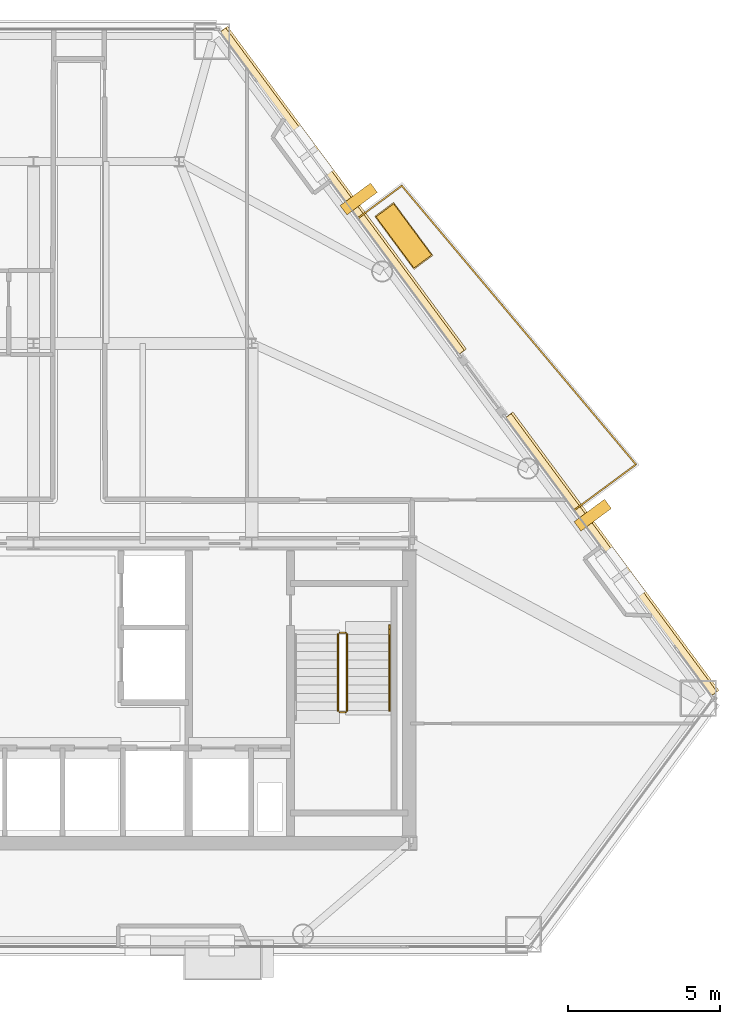
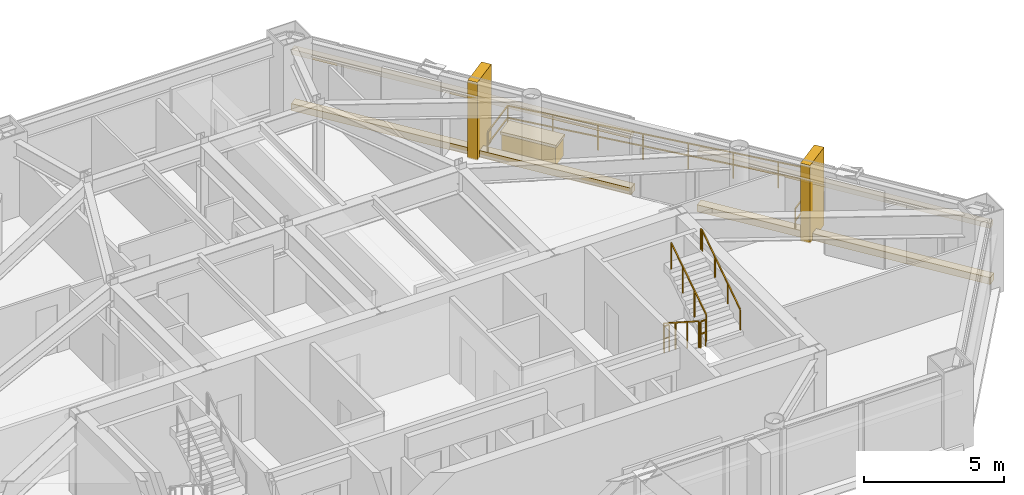
# One storey, part 13 of 13: 8 coverings, 6 railings.
"""IFC4 building model written with IfcOpenShell, lengths in metres."""

import ifcopenshell
import ifcopenshell.guid

model = None  # the IFC model being written
_history = None  # IfcOwnerHistory: only IFC2X3 demands one
_inside = {}  # id of a spatial element -> (the spatial element, [elements in it])
_under = {}  # id of a project, library or spatial element -> (it, [spatial elements below it])
_declared = {}  # id of a project -> (the project, [libraries it declares])
_typed = {}  # id of a type object -> (the type object, [elements of that type])
_made_of = {}  # id of a material, layer set ... -> (it, [elements and type objects made of it])


def new_model(schema):
    """Start an empty IFC model of exactly this schema.

    Asked for "IFC4X3", IfcOpenShell would pick the latest addendum, in which some entities
    have other attributes; the version numbers below select the first issue.
    IFC2X3 requires an IfcOwnerHistory on every rooted entity: one is made here for all.
    """
    global model, _history
    if schema == "IFC4X3":
        model = ifcopenshell.file(schema_version=(4, 3, 0, 0))
    else:
        model = ifcopenshell.file(schema=schema)
    _inside.clear()
    _under.clear()
    _declared.clear()
    _typed.clear()
    _made_of.clear()
    _history = None
    if model.schema == "IFC2X3":
        org = make("IfcOrganization", Name="unknown")
        user = make(
            "IfcPersonAndOrganization",
            ThePerson=make("IfcPerson", FamilyName="unknown"),
            TheOrganization=org,
        )
        app = make(
            "IfcApplication",
            ApplicationDeveloper=org,
            Version="unknown",
            ApplicationFullName="unknown",
            ApplicationIdentifier="unknown",
        )
        _history = make(
            "IfcOwnerHistory",
            OwningUser=user,
            OwningApplication=app,
            ChangeAction="ADDED",
            CreationDate=0,
        )
    return model


def make(cls, **values):
    """One entity of the class cls with the attributes given. An attribute that is None is left unset."""
    return model.create_entity(
        cls, **{name: value for name, value in values.items() if value is not None}
    )


def rooted(cls, **values):
    """An entity with a GlobalId (a new one), such as an element, a storey or a relation."""
    return make(cls, GlobalId=ifcopenshell.guid.new(), OwnerHistory=_history, **values)


def si_unit(unit_type, name, prefix=None):
    """IfcSIUnit, for example si_unit("LENGTHUNIT", "METRE", prefix="MILLI")."""
    return make("IfcSIUnit", UnitType=unit_type, Prefix=prefix, Name=name)


def assignment(units):
    """IfcUnitAssignment: the units of a project."""
    return None if units is None else make("IfcUnitAssignment", Units=units)


def point(xyz):
    """IfcCartesianPoint."""
    return None if xyz is None else make("IfcCartesianPoint", Coordinates=xyz)


def direction(xyz):
    """IfcDirection."""
    return None if xyz is None else make("IfcDirection", DirectionRatios=xyz)


def frame(location, z_axis=None, x_axis=None):
    """IfcAxis2Placement3D, a coordinate frame: its origin and axes. An axis left out is left unset."""
    return make(
        "IfcAxis2Placement3D",
        Location=point(location),
        Axis=direction(z_axis),
        RefDirection=direction(x_axis),
    )


def frame_2d(location, x_axis=None):
    """IfcAxis2Placement2D, a coordinate frame in the plane: its origin and x axis."""
    return make(
        "IfcAxis2Placement2D", Location=point(location), RefDirection=direction(x_axis)
    )


def origin():
    """The frame at (0, 0, 0) with its axes left unset."""
    return frame((0.0, 0.0, 0.0))


def origin_2d():
    """The frame at (0, 0) in the plane with its x axis left unset."""
    return frame_2d((0.0, 0.0))


def place(relative_to, where):
    """IfcLocalPlacement: puts the frame where relative to a parent placement (None: the world)."""
    return make(
        "IfcLocalPlacement", PlacementRelTo=relative_to, RelativePlacement=where
    )


def context(
    kind, dimensions, precision=None, world=None, true_north=None, identifier=None
):
    """IfcGeometricRepresentationContext, for example the 3D "Model" context."""
    return make(
        "IfcGeometricRepresentationContext",
        ContextIdentifier=identifier,
        ContextType=kind,
        CoordinateSpaceDimension=dimensions,
        Precision=precision,
        WorldCoordinateSystem=world,
        TrueNorth=true_north,
    )


def subcontext(parent, identifier, kind, view, scale=None):
    """IfcGeometricRepresentationSubContext, for example "Body" below "Model"."""
    return make(
        "IfcGeometricRepresentationSubContext",
        ContextIdentifier=identifier,
        ContextType=kind,
        ParentContext=parent,
        TargetScale=scale,
        TargetView=view,
    )


def project(units=None, contexts=None):
    """IfcProject with its units and contexts."""
    return rooted(
        "IfcProject",
        Name="project",
        RepresentationContexts=contexts,
        UnitsInContext=assignment(units),
    )


def spatial(cls, under=None, at=None, **own):
    """A site, building, storey or space (cls), placed at a placement, below another one or the project."""
    s = rooted(cls, ObjectPlacement=at, **own)
    if under is not None:
        _under.setdefault(under.id(), (under, []))[1].append(s)
    return s


def profile(cls, at=None, kind="AREA", **sizes):
    """A parametric profile (cls). Its sizes go by their IFC names, for example OverallWidth=200.0."""
    return make(cls, ProfileType=kind, Position=at, **sizes)


def rectangle(**sizes):
    """IfcRectangleProfileDef."""
    return profile("IfcRectangleProfileDef", **sizes)


def extrude(swept, where, along, depth):
    """IfcExtrudedAreaSolid: the profile swept, set in the frame where, extruded along a direction by depth."""
    return make(
        "IfcExtrudedAreaSolid",
        SweptArea=swept,
        Position=where,
        ExtrudedDirection=direction(along),
        Depth=depth,
    )


def shape(context_of_items, identifier, shape_type, items):
    """IfcShapeRepresentation: the items that make up one representation, for example the "Body"."""
    return make(
        "IfcShapeRepresentation",
        ContextOfItems=context_of_items,
        RepresentationIdentifier=identifier,
        RepresentationType=shape_type,
        Items=items,
    )


def material(Name=None, Category=None):
    """IfcMaterial."""
    return make("IfcMaterial", Name=Name, Category=Category)


def layer(
    of_material, thickness, ventilated=None, Name=None, Category=None, Priority=None
):
    """IfcMaterialLayer: one layer of a wall or slab, of a material (None: an air gap)."""
    return make(
        "IfcMaterialLayer",
        Material=of_material,
        LayerThickness=thickness,
        IsVentilated=ventilated,
        Name=Name,
        Category=Category,
        Priority=Priority,
    )


def layer_set(layers, Name=None):
    """IfcMaterialLayerSet."""
    return make("IfcMaterialLayerSet", MaterialLayers=layers, LayerSetName=Name)


def made_of(thing, what):
    """Note that an element or type object is made of a material, layer set ...; save() writes the relation."""
    if what is not None:
        _made_of.setdefault(what.id(), (what, []))[1].append(thing)
    return thing


def type_object(cls, material=None, **own):
    """A type object (cls), such as IfcWallType, which elements share."""
    return made_of(rooted(cls, **own), material)


def element(
    cls,
    number,
    at=None,
    inside=None,
    cuts=None,
    type_object=None,
    material=None,
    context=None,
    identifier="Body",
    shape_type=None,
    held_by="IfcProductDefinitionShape",
    body=None,
    shapes=None,
    **own,
):
    """One element of the class cls, such as IfcWall. Its Tag is "e" and its number.

    at: its placement. inside: the storey or other place that contains it. cuts: it is an
    opening in that element (IfcRelVoidsElement). A single representation is given by context,
    identifier, shape_type and body (its items); several are given by shapes. held_by: the class
    of the entity that holds the representations. save() writes the other relations.
    """
    e = rooted(cls, Tag="e%d" % number, ObjectPlacement=at, **own)
    if body is not None:
        shapes = [shape(context, identifier, shape_type, body)]
    if shapes is not None:
        e.Representation = make(held_by, Representations=shapes)
    if inside is not None:
        _inside.setdefault(inside.id(), (inside, []))[1].append(e)
    if cuts is not None:
        rooted(
            "IfcRelVoidsElement", RelatingBuildingElement=cuts, RelatedOpeningElement=e
        )
    if type_object is not None:
        _typed.setdefault(type_object.id(), (type_object, []))[1].append(e)
    return made_of(e, material)


def aggregate(whole, parts):
    """IfcRelAggregates: a whole, such as a stair, and the parts it consists of."""
    return rooted("IfcRelAggregates", RelatingObject=whole, RelatedObjects=parts)


def save(model, path):
    """Write the relations noted so far, then the file.

    IfcRelAggregates (storeys below a building ...), IfcRelContainedInSpatialStructure (elements
    in a storey), IfcRelDefinesByType, IfcRelAssociatesMaterial and IfcRelDeclares: one each for
    every whole, place, type object, material and project.
    """
    for whole, parts in _under.values():
        aggregate(whole, parts)
    for where, things in _inside.values():
        rooted(
            "IfcRelContainedInSpatialStructure",
            RelatedElements=things,
            RelatingStructure=where,
        )
    for kind, things in _typed.values():
        rooted("IfcRelDefinesByType", RelatedObjects=things, RelatingType=kind)
    for what, things in _made_of.values():
        rooted("IfcRelAssociatesMaterial", RelatedObjects=things, RelatingMaterial=what)
    for by, libraries in _declared.values():
        rooted("IfcRelDeclares", RelatingContext=by, RelatedDefinitions=libraries)
    model.write(path)


model = new_model("IFC4")

# Units and contexts
model_context = context("Model", 3, precision=1e-05, world=origin(), true_north=direction((0.0, 1.0)))
body_context = subcontext(model_context, "Body", "Model", "MODEL_VIEW")
ifc_project = project(units=[si_unit("LENGTHUNIT", "METRE"), si_unit("AREAUNIT", "SQUARE_METRE"), si_unit("VOLUMEUNIT", "CUBIC_METRE"), si_unit("PLANEANGLEUNIT", "RADIAN"), si_unit("MASSUNIT", "GRAM", prefix="KILO")], contexts=[model_context])

# Site, building, storey
site_placement = place(None, origin())
site = spatial("IfcSite", under=ifc_project, at=site_placement, CompositionType="ELEMENT")
building_placement = place(site_placement, origin())
building = spatial("IfcBuilding", under=site, at=building_placement, Name="Talgorran Terracotta Tower", CompositionType="ELEMENT")
storey_placement = place(building_placement, frame((0.0, 0.0, 106.800048828125)))
storey = spatial("IfcBuildingStorey", under=building, at=storey_placement, Name="L27", CompositionType="ELEMENT", Elevation=106.800048828125)

# Coverings
ifc_material_1 = material(Name="Kiln-Fired Terracotta Ochre Ceramic", Category="masonry")
ifc_layer_1 = layer(ifc_material_1, 0.179931640625, Name="COV_BAGUETTE_TERRACOTTA_SCREEN")
ifc_layer_set_1 = layer_set([ifc_layer_1], Name="Kiln-Fired Terracotta Ochre Ceramic")
covering_type_1 = type_object("IfcCoveringType", Name="COV_BAGUETTE_TERRACOTTA_SCREEN", PredefinedType="CLADDING", material=ifc_layer_set_1)
covering_1_placement = place(storey_placement, frame((19.05224609375, -4.581298828125, 2.41015625), z_axis=(0.0, 0.0, 1.0), x_axis=(-0.594906963183, 0.803794566513, 0.0)))
element("IfcCovering", 1, at=covering_1_placement, inside=storey, type_object=covering_type_1, Name="L27 Terracotta Baguette Solar Screen Assembly F40", PredefinedType="CLADDING", context=body_context, shape_type="SweptSolid", body=[
    extrude(rectangle(XDim=11.412109375, YDim=0.260009765625, at=origin_2d()), origin(), (0.0, 0.0, 1.0), 0.219970703125),
])
covering_2_placement = place(storey_placement, frame((10.17431640625, 7.414306640625, 2.41015625), z_axis=(0.0, 0.0, 1.0), x_axis=(-0.594906963183, 0.803794566513, 0.0)))
element("IfcCovering", 2, at=covering_2_placement, inside=storey, type_object=covering_type_1, Name="L27 Terracotta Baguette Solar Screen Assembly F41", PredefinedType="CLADDING", context=body_context, shape_type="SweptSolid", body=[
    extrude(rectangle(XDim=13.23486328125, YDim=0.260009765625, at=origin_2d()), origin(), (0.0, 0.0, 1.0), 0.219970703125),
])
ifc_material_2 = material(Name="Honed Limestone and Terracotta Planter", Category="masonry")
ifc_layer_2 = layer(ifc_material_2, 0.1201171875, Name="COV_PLANTER_BOX")
ifc_layer_set_2 = layer_set([ifc_layer_2], Name="Honed Limestone and Terracotta Planter")
covering_type_2 = type_object("IfcCoveringType", Name="COV_PLANTER_BOX", PredefinedType="CLADDING", material=ifc_layer_set_2)
covering_3_placement = place(storey_placement, frame((12.2177734375, 5.947509765625, -0.02001953125), z_axis=(0.0, 0.0, 1.0), x_axis=(-0.594906963183, 0.803794566513, 0.0)))
element("IfcCovering", 3, at=covering_3_placement, inside=storey, type_object=covering_type_2, Name="L27 Staggered Balcony Planter Box BAL-NE", PredefinedType="CLADDING", context=body_context, shape_type="SweptSolid", body=[
    extrude(rectangle(XDim=2.10009765625, YDim=0.719970703125, at=origin_2d()), origin(), (0.0, 0.0, 1.0), 0.860107421875),
])
ifc_material_3 = material(Name="Kiln-Fired Terracotta Planter Rim", Category="masonry")
ifc_layer_3 = layer(ifc_material_3, 0.10009765625, Name="COV_PLANTER_RIM")
ifc_layer_set_3 = layer_set([ifc_layer_3], Name="Kiln-Fired Terracotta Planter Rim")
covering_type_3 = type_object("IfcCoveringType", Name="COV_PLANTER_RIM", PredefinedType="CLADDING", material=ifc_layer_set_3)
covering_4_placement = place(storey_placement, frame((12.2177734375, 5.947509765625, 0.7998046875), z_axis=(0.0, 0.0, 1.0), x_axis=(-0.594906963183, 0.803794566513, 0.0)))
element("IfcCovering", 4, at=covering_4_placement, inside=storey, type_object=covering_type_3, Name="L27 Balcony Planter Terracotta Rim BAL-NE", PredefinedType="CLADDING", context=body_context, shape_type="SweptSolid", body=[
    extrude(rectangle(XDim=2.179931640625, YDim=0.780029296875, at=origin_2d()), origin(), (0.0, 0.0, 1.0), 0.1201171875),
])
ifc_material_4 = material(Name="Honed Limestone Cladding", Category="masonry")
ifc_layer_4 = layer(ifc_material_4, 0.094970703125, Name="COV_PORTAL_LIME")
ifc_layer_set_4 = layer_set([ifc_layer_4], Name="Honed Limestone Cladding")
covering_type_4 = type_object("IfcCoveringType", Name="COV_PORTAL_LIME", PredefinedType="CLADDING", material=ifc_layer_set_4)
covering_5_placement = place(storey_placement, frame((18.45263671875, -3.2666015625, -0.050048828125), z_axis=(0.0, 0.0, 1.0), x_axis=(-0.594906963183, 0.803794566513, 0.0)))
element("IfcCovering", 5, at=covering_5_placement, inside=storey, type_object=covering_type_4, Name="L27 White Striped Portal Fin F3-1", PredefinedType="CLADDING", context=body_context, shape_type="SweptSolid", body=[
    extrude(rectangle(XDim=0.3798828125, YDim=1.25, at=origin_2d()), origin(), (0.0, 0.0, 1.0), 3.39990234375),
])
ifc_material_5 = material(Name="Kiln-Fired Terracotta Cladding", Category="masonry")
ifc_layer_5 = layer(ifc_material_5, 0.090087890625, Name="COV_PORTAL_TERRA")
ifc_layer_set_5 = layer_set([ifc_layer_5], Name="Kiln-Fired Terracotta Cladding")
covering_type_5 = type_object("IfcCoveringType", Name="COV_PORTAL_TERRA", PredefinedType="CLADDING", material=ifc_layer_set_5)
covering_6_placement = place(storey_placement, frame((19.08447265625, -4.557373046875, -0.0400390625), z_axis=(0.0, 0.0, 1.0), x_axis=(-0.594906963183, 0.803794566513, 0.0)))
element("IfcCovering", 6, at=covering_6_placement, inside=storey, type_object=covering_type_5, Name="L27 Striped Postmodern Portal Cladding Band F40", PredefinedType="CLADDING", context=body_context, shape_type="SweptSolid", body=[
    extrude(rectangle(XDim=11.43212890625, YDim=0.340087890625, at=origin_2d()), origin(), (0.0, 0.0, 1.0), 0.300048828125),
])
covering_7_placement = place(storey_placement, frame((10.206298828125, 7.43798828125, -0.0400390625), z_axis=(0.0, 0.0, 1.0), x_axis=(-0.594906963183, 0.803794566513, 0.0)))
element("IfcCovering", 7, at=covering_7_placement, inside=storey, type_object=covering_type_5, Name="L27 Striped Postmodern Portal Cladding Band F41", PredefinedType="CLADDING", context=body_context, shape_type="SweptSolid", body=[
    extrude(rectangle(XDim=13.2548828125, YDim=0.340087890625, at=origin_2d()), origin(), (0.0, 0.0, 1.0), 0.300048828125),
])
covering_8_placement = place(storey_placement, frame((10.73095703125, 7.16650390625, -0.050048828125), z_axis=(0.0, 0.0, 1.0), x_axis=(-0.594906963183, 0.803794566513, 0.0)))
element("IfcCovering", 8, at=covering_8_placement, inside=storey, type_object=covering_type_5, Name="L27 Terracotta Striped Portal Fin F3-2", PredefinedType="CLADDING", context=body_context, shape_type="SweptSolid", body=[
    extrude(rectangle(XDim=0.3798828125, YDim=1.25, at=origin_2d()), origin(), (0.0, 0.0, 1.0), 3.39990234375),
])

# Railings
ifc_material_6 = material(Name="Laminated Glass and Stainless Steel 316", Category="steel")
railing_type_1 = type_object("IfcRailingType", Name="RL_BALCONY_1150", PredefinedType="BALUSTRADE", material=ifc_material_6)
railing_1_placement = place(storey_placement, frame((17.85302734375, -3.095458984375, 0.0)))
element("IfcRailing", 9, at=railing_1_placement, inside=storey, type_object=railing_type_1, Name="RL-L27-BAL-BAL-NE", PredefinedType="BALUSTRADE", context=body_context, shape_type="SweptSolid", body=[
    extrude(rectangle(XDim=0.048095703125, YDim=0.048095703125, at=origin_2d()), frame((0.0, 0.0, 1.1259765625), z_axis=(0.803783557242, 0.594921837814, 0.0), x_axis=(-0.594921837814, 0.803783557242, 0.0)), (0.0, 0.0, 1.0), 2.521240234375),
    extrude(rectangle(XDim=0.048095703125, YDim=0.048095703125, at=origin_2d()), frame((0.0, 0.0, 0.597900390625), z_axis=(0.803783557242, 0.594921837814, 0.0), x_axis=(-0.594921837814, 0.803783557242, 0.0)), (0.0, 0.0, 1.0), 2.521240234375),
    extrude(rectangle(XDim=0.048095703125, YDim=0.048095703125, at=origin_2d()), frame((2.026611328125, 1.5, 1.1259765625), z_axis=(-0.643321231976, 0.765596363947, 0.0), x_axis=(-0.765596363947, -0.643321231976, 0.0)), (0.0, 0.0, 1.0), 12.013916015625),
    extrude(rectangle(XDim=0.048095703125, YDim=0.048095703125, at=origin_2d()), frame((2.026611328125, 1.5, 0.597900390625), z_axis=(-0.643321231976, 0.765596363947, 0.0), x_axis=(-0.765596363947, -0.643321231976, 0.0)), (0.0, 0.0, 1.0), 12.013916015625),
    extrude(rectangle(XDim=0.048095703125, YDim=0.048095703125, at=origin_2d()), frame((-5.7021484375, 10.69775390625, 1.1259765625), z_axis=(-0.803816987342, -0.594876668613, 0.0), x_axis=(0.594876668613, -0.803816987342, 0.0)), (0.0, 0.0, 1.0), 1.78076171875),
    extrude(rectangle(XDim=0.048095703125, YDim=0.048095703125, at=origin_2d()), frame((-5.7021484375, 10.69775390625, 0.597900390625), z_axis=(-0.803816987342, -0.594876668613, 0.0), x_axis=(0.594876668613, -0.803816987342, 0.0)), (0.0, 0.0, 1.0), 1.78076171875),
    extrude(rectangle(XDim=0.0419921875, YDim=0.0419921875, at=origin_2d()), origin(), (0.0, 0.0, 1.0), 1.101806640625),
    extrude(rectangle(XDim=0.0419921875, YDim=0.0419921875, at=origin_2d()), frame((1.01318359375, 0.75, 0.0)), (0.0, 0.0, 1.0), 1.101806640625),
    extrude(rectangle(XDim=0.0419921875, YDim=0.0419921875, at=origin_2d()), frame((2.026611328125, 1.5, 0.0)), (0.0, 0.0, 1.0), 1.101806640625),
    extrude(rectangle(XDim=0.0419921875, YDim=0.0419921875, at=origin_2d()), frame((0.922607421875, 2.81396484375, 0.0)), (0.0, 0.0, 1.0), 1.101806640625),
    extrude(rectangle(XDim=0.0419921875, YDim=0.0419921875, at=origin_2d()), frame((-0.181640625, 4.1279296875, 0.0)), (0.0, 0.0, 1.0), 1.101806640625),
    extrude(rectangle(XDim=0.0419921875, YDim=0.0419921875, at=origin_2d()), frame((-1.28564453125, 5.44189453125, 0.0)), (0.0, 0.0, 1.0), 1.101806640625),
    extrude(rectangle(XDim=0.0419921875, YDim=0.0419921875, at=origin_2d()), frame((-2.389892578125, 6.755859375, 0.0)), (0.0, 0.0, 1.0), 1.101806640625),
    extrude(rectangle(XDim=0.0419921875, YDim=0.0419921875, at=origin_2d()), frame((-3.493896484375, 8.06982421875, 0.0)), (0.0, 0.0, 1.0), 1.101806640625),
    extrude(rectangle(XDim=0.0419921875, YDim=0.0419921875, at=origin_2d()), frame((-4.59814453125, 9.3837890625, 0.0)), (0.0, 0.0, 1.0), 1.101806640625),
    extrude(rectangle(XDim=0.0419921875, YDim=0.0419921875, at=origin_2d()), frame((-5.7021484375, 10.69775390625, 0.0)), (0.0, 0.0, 1.0), 1.101806640625),
    extrude(rectangle(XDim=0.0419921875, YDim=0.0419921875, at=origin_2d()), frame((-7.133544921875, 9.638427734375, 0.0)), (0.0, 0.0, 1.0), 1.101806640625),
])
ifc_material_7 = material(Name="Steel S355 (300PLUS)", Category="steel")
railing_type_2 = type_object("IfcRailingType", Name="RL_HANDRAIL_920", PredefinedType="HANDRAIL", material=ifc_material_7)
railing_2_placement = place(storey_placement, frame((11.75, -9.719970703125, 1.97998046875)))
element("IfcRailing", 10, at=railing_2_placement, inside=storey, type_object=railing_type_2, Name="L27 ST-02 stair handrail 2", PredefinedType="HANDRAIL", context=body_context, shape_type="SweptSolid", body=[
    extrude(rectangle(XDim=0.048095703125, YDim=0.048095703125, at=origin_2d()), frame((0.0, 0.0, 0.89599609375), z_axis=(0.0, 0.832038719335, 0.554717558338), x_axis=(-1.0, 0.0, 0.0)), (0.0, 0.0, 1.0), 3.244873046875),
    extrude(rectangle(XDim=0.048095703125, YDim=0.048095703125, at=origin_2d()), frame((0.0, 2.699951171875, 2.69580078125), z_axis=(0.0, 1.0, 0.0), x_axis=(-1.0, 0.0, 0.0)), (0.0, 0.0, 1.0), 0.1201171875),
    extrude(rectangle(XDim=0.0419921875, YDim=0.0419921875, at=origin_2d()), origin(), (0.0, 0.0, 1.0), 0.871826171875),
    extrude(rectangle(XDim=0.0419921875, YDim=0.0419921875, at=origin_2d()), frame((0.0, 0.89990234375, 0.60009765625)), (0.0, 0.0, 1.0), 0.871826171875),
    extrude(rectangle(XDim=0.0419921875, YDim=0.0419921875, at=origin_2d()), frame((0.0, 1.800048828125, 1.199951171875)), (0.0, 0.0, 1.0), 0.871826171875),
    extrude(rectangle(XDim=0.0419921875, YDim=0.0419921875, at=origin_2d()), frame((0.0, 2.699951171875, 1.800048828125)), (0.0, 0.0, 1.0), 0.871826171875),
    extrude(rectangle(XDim=0.0419921875, YDim=0.0419921875, at=origin_2d()), frame((0.0, 2.820068359375, 1.800048828125)), (0.0, 0.0, 1.0), 0.871826171875),
])
railing_type_3 = type_object("IfcRailingType", Name="RL_STAIR_GUARD", PredefinedType="GUARDRAIL", material=ifc_material_7)
railing_3_placement = place(storey_placement, frame((10.050048828125, -7.199951171875, 0.179931640625)))
element("IfcRailing", 11, at=railing_3_placement, inside=storey, type_object=railing_type_3, Name="L27 ST-02 stair guard 1", PredefinedType="GUARDRAIL", context=body_context, shape_type="SweptSolid", body=[
    extrude(rectangle(XDim=0.048095703125, YDim=0.048095703125, at=origin_2d()), frame((0.0, 0.0, 1.15576171875), z_axis=(0.0, -0.841162588446, 0.540782303519), x_axis=(1.0, 0.0, 0.0)), (0.0, 0.0, 1.0), 2.995849609375),
    extrude(rectangle(XDim=0.0419921875, YDim=0.0419921875, at=origin_2d()), origin(), (0.0, 0.0, 1.0), 1.1318359375),
    extrude(rectangle(XDim=0.0419921875, YDim=0.0419921875, at=origin_2d()), frame((0.0, -0.840087890625, 0.5400390625)), (0.0, 0.0, 1.0), 1.1318359375),
    extrude(rectangle(XDim=0.0419921875, YDim=0.0419921875, at=origin_2d()), frame((0.0, -1.679931640625, 1.080078125)), (0.0, 0.0, 1.0), 1.1318359375),
    extrude(rectangle(XDim=0.0419921875, YDim=0.0419921875, at=origin_2d()), frame((0.0, -2.52001953125, 1.6201171875)), (0.0, 0.0, 1.0), 1.1318359375),
])
railing_4_placement = place(storey_placement, frame((10.10009765625, -9.77001953125, 1.800048828125)))
element("IfcRailing", 12, at=railing_4_placement, inside=storey, type_object=railing_type_3, Name="L27 ST-02 stair guard 2", PredefinedType="GUARDRAIL", context=body_context, shape_type="SweptSolid", body=[
    extrude(rectangle(XDim=0.048095703125, YDim=0.048095703125, at=origin_2d()), frame((0.0, 0.0, 1.15576171875), z_axis=(1.0, 0.0, 0.0), x_axis=(0.0, 1.0, 0.0)), (0.0, 0.0, 1.0), 0.199951171875),
    extrude(rectangle(XDim=0.048095703125, YDim=0.048095703125, at=origin_2d()), frame((0.0, 0.0, 0.613525390625), z_axis=(1.0, 0.0, 0.0), x_axis=(0.0, 1.0, 0.0)), (0.0, 0.0, 1.0), 0.199951171875),
    extrude(rectangle(XDim=0.0419921875, YDim=0.0419921875, at=origin_2d()), origin(), (0.0, 0.0, 1.0), 1.1318359375),
    extrude(rectangle(XDim=0.0419921875, YDim=0.0419921875, at=origin_2d()), frame((0.199951171875, 0.0, 0.0)), (0.0, 0.0, 1.0), 1.1318359375),
])
railing_5_placement = place(storey_placement, frame((10.35009765625, -9.719970703125, 1.97998046875)))
element("IfcRailing", 13, at=railing_5_placement, inside=storey, type_object=railing_type_3, Name="L27 ST-02 stair guard 3", PredefinedType="GUARDRAIL", context=body_context, shape_type="SweptSolid", body=[
    extrude(rectangle(XDim=0.048095703125, YDim=0.048095703125, at=origin_2d()), frame((0.0, 0.0, 1.15576171875), z_axis=(0.0, 0.841199657755, 0.540724639528), x_axis=(-1.0, 0.0, 0.0)), (0.0, 0.0, 1.0), 2.995849609375),
    extrude(rectangle(XDim=0.0419921875, YDim=0.0419921875, at=origin_2d()), origin(), (0.0, 0.0, 1.0), 1.1318359375),
    extrude(rectangle(XDim=0.0419921875, YDim=0.0419921875, at=origin_2d()), frame((0.0, 0.840087890625, 0.5400390625)), (0.0, 0.0, 1.0), 1.1318359375),
    extrude(rectangle(XDim=0.0419921875, YDim=0.0419921875, at=origin_2d()), frame((0.0, 1.679931640625, 1.079833984375)), (0.0, 0.0, 1.0), 1.1318359375),
    extrude(rectangle(XDim=0.0419921875, YDim=0.0419921875, at=origin_2d()), frame((0.0, 2.52001953125, 1.619873046875)), (0.0, 0.0, 1.0), 1.1318359375),
])
railing_6_placement = place(storey_placement, frame((10.10009765625, -7.14990234375, 0.0)))
element("IfcRailing", 14, at=railing_6_placement, inside=storey, type_object=railing_type_3, Name="L27 ST-02 stair guard 4", PredefinedType="GUARDRAIL", context=body_context, shape_type="SweptSolid", body=[
    extrude(rectangle(XDim=0.048095703125, YDim=0.048095703125, at=origin_2d()), frame((0.0, 0.0, 1.15576171875), z_axis=(1.0, 0.0, 0.0), x_axis=(0.0, 1.0, 0.0)), (0.0, 0.0, 1.0), 0.199951171875),
    extrude(rectangle(XDim=0.048095703125, YDim=0.048095703125, at=origin_2d()), frame((0.0, 0.0, 0.613525390625), z_axis=(1.0, 0.0, 0.0), x_axis=(0.0, 1.0, 0.0)), (0.0, 0.0, 1.0), 0.199951171875),
    extrude(rectangle(XDim=0.0419921875, YDim=0.0419921875, at=origin_2d()), origin(), (0.0, 0.0, 1.0), 1.1318359375),
    extrude(rectangle(XDim=0.0419921875, YDim=0.0419921875, at=origin_2d()), frame((0.199951171875, 0.0, 0.0)), (0.0, 0.0, 1.0), 1.1318359375),
])

save(model, "model.ifc")
